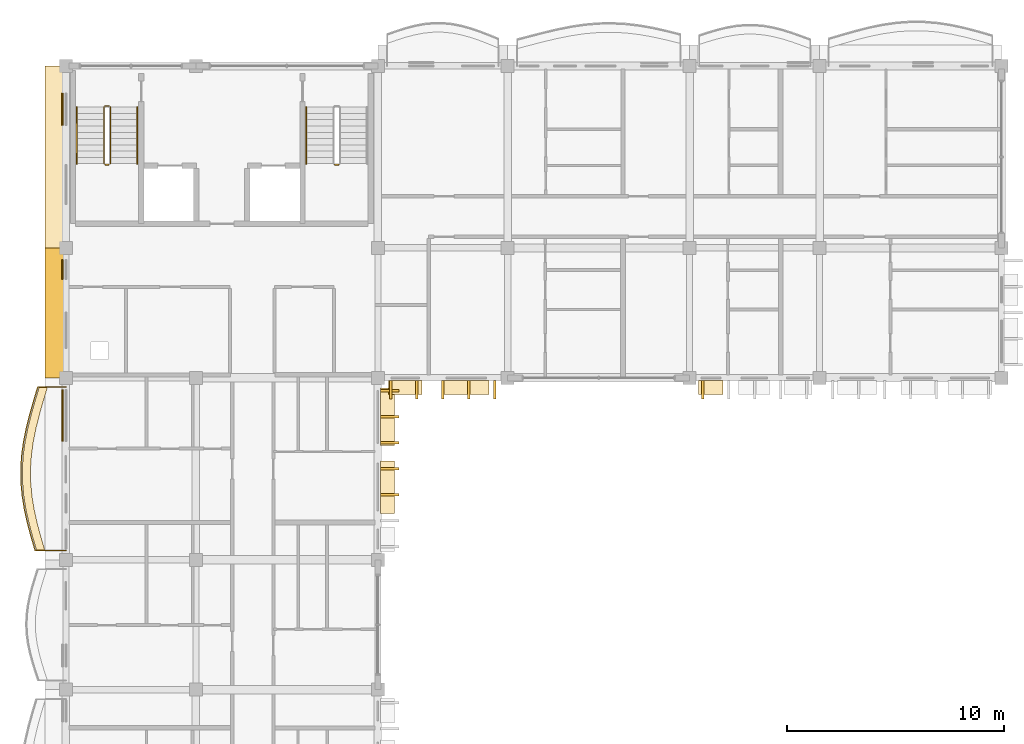
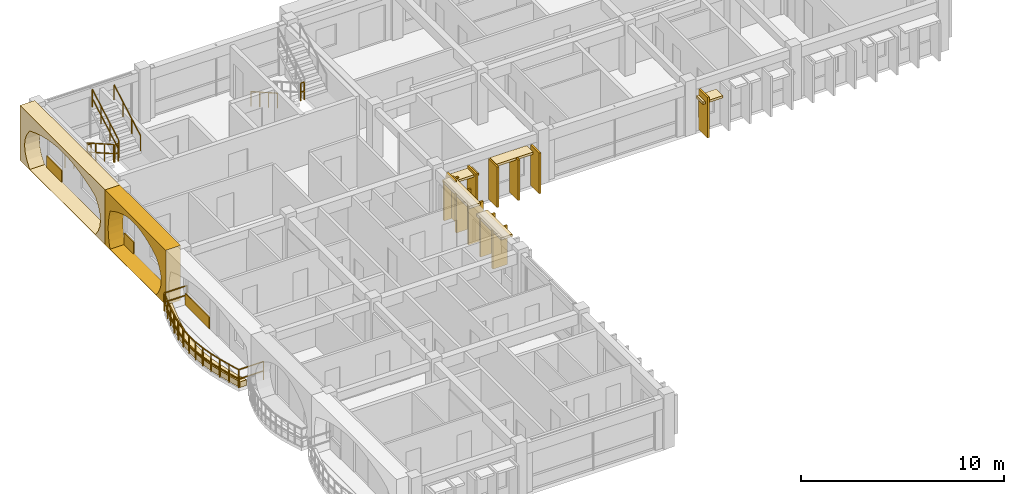
# One storey, part 43 of 54: 22 coverings, 9 railings.
"""IFC4 building model written with IfcOpenShell, lengths in metres."""

from ifc_helpers import new_model, si_unit, direction, frame, origin, origin_2d, place, context, subcontext, project, spatial, polyline, rectangle, outline, extrude, material, layer, layer_set, type_object, element, save


model = new_model("IFC4")

# Units and contexts
model_context = context("Model", 3, precision=1e-05, world=origin(), true_north=direction((0.0, 1.0)))
body_context = subcontext(model_context, "Body", "Model", "MODEL_VIEW")
ifc_project = project(units=[si_unit("LENGTHUNIT", "METRE"), si_unit("AREAUNIT", "SQUARE_METRE"), si_unit("VOLUMEUNIT", "CUBIC_METRE"), si_unit("PLANEANGLEUNIT", "RADIAN"), si_unit("MASSUNIT", "GRAM", prefix="KILO"), si_unit("THERMODYNAMICTEMPERATUREUNIT", "KELVIN")], contexts=[model_context])

# Site, building, storey
site_placement = place(None, origin())
site = spatial("IfcSite", under=ifc_project, at=site_placement, CompositionType="ELEMENT")
building_placement = place(site_placement, origin())
building = spatial("IfcBuilding", under=site, at=building_placement, Name="Thalorik Housing Commons", CompositionType="ELEMENT")
storey_placement = place(building_placement, frame((0.0, 0.0, 31.199951171875)))
storey = spatial("IfcBuildingStorey", under=building, at=storey_placement, Name="L09", CompositionType="ELEMENT", Elevation=31.199951171875)

# Coverings
ifc_material_1 = material(Name="Cobalt blue glazed ceramic facade tile panel", Category="masonry")
ifc_layer_1 = layer(ifc_material_1, 0.06005859375, Name="Cobalt blue glazed ceramic facade tile panel", Category="masonry")
ifc_layer_set_1 = layer_set([ifc_layer_1], Name="Cobalt blue glazed ceramic facade tile panel")
covering_type_1 = type_object("IfcCoveringType", Name="ARC-CLD-BLU-60", PredefinedType="CLADDING", material=ifc_layer_set_1)
covering_1_placement = place(storey_placement, frame((8.242431640625, 121.603759765625, 0.05029296875), z_axis=(0.0, 0.0, 1.0), x_axis=(0.0, -1.0, 0.0)))
element("IfcCovering", 1, at=covering_1_placement, inside=storey, type_object=covering_type_1, Name="L09 De Stijl Recessed Window Spandrel 958", PredefinedType="CLADDING", context=body_context, shape_type="SweptSolid", body=[
    extrude(rectangle(XDim=1.47998046875, YDim=0.06005859375, at=origin_2d()), origin(), (0.0, 0.0, 1.0), 0.699951171875),
])
ifc_material_2 = material(Name="Precast concrete C40/50", Category="concrete")
ifc_layer_2 = layer(ifc_material_2, 0.85009765625, Name="Precast concrete C40/50", Category="concrete")
ifc_layer_set_2 = layer_set([ifc_layer_2], Name="Precast concrete C40/50")
covering_type_2 = type_object("IfcCoveringType", Name="ARC-CLD-CUSH-850", PredefinedType="CLADDING", material=ifc_layer_set_2)
covering_2_placement = place(storey_placement, frame((7.8525390625, 119.39990234375, 0.0), z_axis=(0.0, 0.0, 1.0), x_axis=(0.0, -1.0, 0.0)))
element("IfcCovering", 2, at=covering_2_placement, inside=storey, type_object=covering_type_2, Name="L09 White Precast Curved Cushion Bay Frame 957", PredefinedType="CLADDING", context=body_context, shape_type="SweptSolid", body=[
    extrude(outline(polyline([(-4.199951171875, 0.0), (4.199951171875, 0.0), (4.199951171875, 3.300048828125), (-4.199951171875, 3.300048828125), (-4.199951171875, 0.0)]), holes=[polyline([(3.239990234375, 0.02490234375), (3.523193359375, 0.410888671875), (3.693359375, 0.796630859375), (3.75, 1.1826171875), (3.693359375, 1.568359375), (3.523193359375, 1.9541015625), (3.239990234375, 2.340087890625), (2.699951171875, 2.552978515625), (2.159912109375, 2.720458984375), (1.6201171875, 2.85595703125), (1.080078125, 2.956787109375), (0.5400390625, 3.01904296875), (0.0, 3.0400390625), (-0.5400390625, 3.01904296875), (-1.080078125, 2.956787109375), (-1.6201171875, 2.85595703125), (-2.159912109375, 2.720458984375), (-2.699951171875, 2.552978515625), (-3.239990234375, 2.340087890625), (-3.523193359375, 1.9541015625), (-3.693359375, 1.568359375), (-3.75, 1.1826171875), (-3.693359375, 0.796630859375), (-3.523193359375, 0.410888671875), (-3.239990234375, 0.02490234375), (3.239990234375, 0.02490234375)])]), frame((0.0, 0.425048828125, 0.0), z_axis=(0.0, -1.0, 0.0), x_axis=(1.0, 0.0, 0.0)), (0.0, 0.0, 1.0), 0.85009765625),
])
covering_3_placement = place(storey_placement, frame((7.8525390625, 112.199951171875, 0.0), z_axis=(0.0, 0.0, 1.0), x_axis=(0.0, -1.0, 0.0)))
element("IfcCovering", 3, at=covering_3_placement, inside=storey, type_object=covering_type_2, Name="L09 White Precast Curved Cushion Bay Frame 959", PredefinedType="CLADDING", context=body_context, shape_type="SweptSolid", body=[
    extrude(outline(polyline([(-3.0, 0.0), (3.0, 0.0), (3.0, 3.300048828125), (-3.0, 3.300048828125), (-3.0, 0.0)]), holes=[polyline([(2.0400390625, 0.02490234375), (2.3232421875, 0.407470703125), (2.493408203125, 0.7900390625), (2.550048828125, 1.172607421875), (2.493408203125, 1.554931640625), (2.3232421875, 1.9375), (2.0400390625, 2.320068359375), (1.661376953125, 2.539306640625), (1.282470703125, 2.711181640625), (0.90380859375, 2.8505859375), (0.52490234375, 2.954345703125), (0.146240234375, 3.018310546875), (-0.232421875, 3.0400390625), (-0.611328125, 3.018310546875), (-0.989990234375, 2.954345703125), (-1.36865234375, 2.8505859375), (-1.74755859375, 2.711181640625), (-2.126220703125, 2.539306640625), (-2.5048828125, 2.320068359375), (-2.609619140625, 1.9375), (-2.672119140625, 1.554931640625), (-2.693115234375, 1.172607421875), (-2.672119140625, 0.7900390625), (-2.609619140625, 0.407470703125), (-2.5048828125, 0.02490234375), (2.0400390625, 0.02490234375)])]), frame((0.0, 0.425048828125, 0.0), z_axis=(0.0, -1.0, 0.0), x_axis=(1.0, 0.0, 0.0)), (0.0, 0.0, 1.0), 0.85009765625),
])
ifc_layer_3 = layer(ifc_material_2, 0.85009765625, Name="Precast concrete C40/50", Category="concrete")
ifc_layer_set_3 = layer_set([ifc_layer_3], Name="Precast concrete C40/50")
covering_type_3 = type_object("IfcCoveringType", Name="ARC-CLD-FIN-850", PredefinedType="CLADDING", material=ifc_layer_set_3)
for number, where, z_axis, x_axis, name in (
    (4, (23.39990234375, 108.652587890625, 0.0400390625), (0.0, 0.0, 1.0), (1.0, 0.0, 0.0), "L09 Courtyard Precast Vertical Brise-Soleil Fin 917"),
    (5, (24.60009765625, 108.652587890625, 0.0400390625), (0.0, 0.0, 1.0), (1.0, 0.0, 0.0), "L09 Courtyard Precast Vertical Brise-Soleil Fin 918"),
    (6, (25.800048828125, 108.652587890625, 0.0400390625), (0.0, 0.0, 1.0), (1.0, 0.0, 0.0), "L09 Courtyard Precast Vertical Brise-Soleil Fin 919"),
    (7, (27.0, 108.652587890625, 0.0400390625), (0.0, 0.0, 1.0), (1.0, 0.0, 0.0), "L09 Courtyard Precast Vertical Brise-Soleil Fin 920"),
    (8, (28.199951171875, 108.652587890625, 0.0400390625), (0.0, 0.0, 1.0), (1.0, 0.0, 0.0), "L09 Courtyard Precast Vertical Brise-Soleil Fin 921"),
    (9, (37.800048828125, 108.652587890625, 0.0400390625), (0.0, 0.0, 1.0), (1.0, 0.0, 0.0), "L09 Courtyard Precast Vertical Brise-Soleil Fin 924"),
):
    element("IfcCovering", number, at=place(storey_placement, frame(where, z_axis=z_axis, x_axis=x_axis)), inside=storey, type_object=covering_type_3, Name=name, PredefinedType="CLADDING", context=body_context, shape_type="SweptSolid", body=[
        extrude(rectangle(XDim=0.110107421875, YDim=0.85009765625, at=origin_2d()), origin(), (0.0, 0.0, 1.0), 2.445068359375),
    ])
for number, where, z_axis, x_axis, name in (
    (10, (23.347412109375, 103.800048828125, 0.0400390625), (0.0, 0.0, 1.0), (0.0, 1.0, 0.0), "L09 Courtyard Precast Vertical Brise-Soleil Fin 986"),
    (11, (23.347412109375, 105.0, 0.0400390625), (0.0, 0.0, 1.0), (0.0, 1.0, 0.0), "L09 Courtyard Precast Vertical Brise-Soleil Fin 987"),
    (12, (23.347412109375, 106.199951171875, 0.0400390625), (0.0, 0.0, 1.0), (0.0, 1.0, 0.0), "L09 Courtyard Precast Vertical Brise-Soleil Fin 988"),
    (13, (23.347412109375, 107.39990234375, 0.0400390625), (0.0, 0.0, 1.0), (0.0, 1.0, 0.0), "L09 Courtyard Precast Vertical Brise-Soleil Fin 989"),
    (14, (23.347412109375, 108.60009765625, 0.0400390625), (0.0, 0.0, 1.0), (0.0, 1.0, 0.0), "L09 Courtyard Precast Vertical Brise-Soleil Fin 990"),
):
    element("IfcCovering", number, at=place(storey_placement, frame(where, z_axis=z_axis, x_axis=x_axis)), inside=storey, type_object=covering_type_3, Name=name, PredefinedType="CLADDING", context=body_context, shape_type="SweptSolid", body=[
        extrude(rectangle(XDim=0.110107421875, YDim=0.85009765625, at=origin_2d()), origin(), (0.0, 0.0, 1.0), 2.344970703125),
    ])
ifc_layer_4 = layer(ifc_material_2, 0.64990234375, Name="Precast concrete C40/50", Category="concrete")
ifc_layer_set_4 = layer_set([ifc_layer_4], Name="Precast concrete C40/50")
covering_type_4 = type_object("IfcCoveringType", Name="ARC-CLD-HOOD-650", PredefinedType="CLADDING", material=ifc_layer_set_4)
covering_4_placement = place(storey_placement, frame((24.070068359375, 108.75244140625, 2.18994140625), z_axis=(0.0, 0.0, 1.0), x_axis=(1.0, 0.0, 0.0)))
element("IfcCovering", 15, at=covering_4_placement, inside=storey, type_object=covering_type_4, Name="L09 Courtyard Precast Window Sun-Hood 922", PredefinedType="CLADDING", context=body_context, shape_type="SweptSolid", body=[
    extrude(rectangle(XDim=1.5400390625, YDim=0.64990234375, at=origin_2d()), origin(), (0.0, 0.0, 1.0), 0.139892578125),
])
covering_5_placement = place(storey_placement, frame((26.8798828125, 108.75244140625, 2.375), z_axis=(0.0, 0.0, 1.0), x_axis=(1.0, 0.0, 0.0)))
element("IfcCovering", 16, at=covering_5_placement, inside=storey, type_object=covering_type_4, Name="L09 Courtyard Precast Window Sun-Hood 923", PredefinedType="CLADDING", context=body_context, shape_type="SweptSolid", body=[
    extrude(rectangle(XDim=2.090087890625, YDim=0.64990234375, at=origin_2d()), origin(), (0.0, 0.0, 1.0), 0.139892578125),
])
covering_6_placement = place(storey_placement, frame((38.175048828125, 108.75244140625, 1.990234375), z_axis=(0.0, 0.0, 1.0), x_axis=(1.0, 0.0, 0.0)))
element("IfcCovering", 17, at=covering_6_placement, inside=storey, type_object=covering_type_4, Name="L09 Courtyard Precast Window Sun-Hood 929", PredefinedType="CLADDING", context=body_context, shape_type="SweptSolid", body=[
    extrude(rectangle(XDim=1.139892578125, YDim=0.64990234375, at=origin_2d()), origin(), (0.0, 0.0, 1.0), 0.139892578125),
])
covering_7_placement = place(storey_placement, frame((23.24755859375, 104.15673828125, 2.27001953125), z_axis=(0.0, 0.0, 1.0), x_axis=(0.0, 1.0, 0.0)))
element("IfcCovering", 18, at=covering_7_placement, inside=storey, type_object=covering_type_4, Name="L09 Courtyard Precast Window Sun-Hood 992", PredefinedType="CLADDING", context=body_context, shape_type="SweptSolid", body=[
    extrude(rectangle(XDim=2.419921875, YDim=0.64990234375, at=origin_2d()), origin(), (0.0, 0.0, 1.0), 0.139892578125),
])
covering_8_placement = place(storey_placement, frame((23.24755859375, 107.40185546875, 2.27490234375), z_axis=(0.0, 0.0, 1.0), x_axis=(0.0, 1.0, 0.0)))
element("IfcCovering", 19, at=covering_8_placement, inside=storey, type_object=covering_type_4, Name="L09 Courtyard Precast Window Sun-Hood 993", PredefinedType="CLADDING", context=body_context, shape_type="SweptSolid", body=[
    extrude(rectangle(XDim=2.659912109375, YDim=0.64990234375, at=origin_2d()), origin(), (0.0, 0.0, 1.0), 0.139892578125),
])
ifc_material_3 = material(Name="Terracotta red mineral fibre-cement panel", Category="masonry")
ifc_layer_5 = layer(ifc_material_3, 0.054931640625, Name="Terracotta red mineral fibre-cement panel", Category="masonry")
ifc_layer_set_5 = layer_set([ifc_layer_5], Name="Terracotta red mineral fibre-cement panel")
covering_type_5 = type_object("IfcCoveringType", Name="ARC-CLD-RED-55", PredefinedType="CLADDING", material=ifc_layer_set_5)
covering_9_placement = place(storey_placement, frame((8.2451171875, 107.469970703125, 0.05029296875), z_axis=(0.0, 0.0, 1.0), x_axis=(0.0, -1.0, 0.0)))
element("IfcCovering", 20, at=covering_9_placement, inside=storey, type_object=covering_type_5, Name="L09 De Stijl Recessed Window Spandrel 962", PredefinedType="CLADDING", context=body_context, shape_type="SweptSolid", body=[
    extrude(rectangle(XDim=2.3798828125, YDim=0.054931640625, at=origin_2d()), origin(), (0.0, 0.0, 1.0), 0.699951171875),
])
ifc_material_4 = material(Name="Mineral ochre architectural terracotta panel", Category="masonry")
ifc_layer_6 = layer(ifc_material_4, 0.06494140625, Name="Mineral ochre architectural terracotta panel", Category="masonry")
ifc_layer_set_6 = layer_set([ifc_layer_6], Name="Mineral ochre architectural terracotta panel")
covering_type_6 = type_object("IfcCoveringType", Name="ARC-CLD-YEL-65", PredefinedType="CLADDING", material=ifc_layer_set_6)
covering_10_placement = place(storey_placement, frame((8.239990234375, 114.205078125, 0.05029296875), z_axis=(0.0, 0.0, 1.0), x_axis=(0.0, -1.0, 0.0)))
element("IfcCovering", 21, at=covering_10_placement, inside=storey, type_object=covering_type_6, Name="L09 De Stijl Recessed Window Spandrel 960", PredefinedType="CLADDING", context=body_context, shape_type="SweptSolid", body=[
    extrude(rectangle(XDim=0.89990234375, YDim=0.06494140625, at=origin_2d()), origin(), (0.0, 0.0, 1.0), 0.699951171875),
])
ifc_material_5 = material(Name="Planted vegetated substrate and terracotta trough", Category="masonry")
ifc_layer_7 = layer(ifc_material_5, 0.340087890625, Name="Planted vegetated substrate and terracotta trough", Category="masonry")
ifc_layer_set_7 = layer_set([ifc_layer_7], Name="Planted vegetated substrate and terracotta trough")
covering_type_7 = type_object("IfcCoveringType", Name="ARC-COV-PLANTER", PredefinedType="USERDEFINED", material=ifc_layer_set_7)
covering_11_placement = place(storey_placement, origin())
element("IfcCovering", 22, at=covering_11_placement, inside=storey, type_object=covering_type_7, Name="L09 Balcony Slab-Edge Planted Trough 5384", ObjectType="PLANTER", PredefinedType="USERDEFINED", context=body_context, shape_type="SweptSolid", body=[
    extrude(outline(polyline([(7.16845703125, 108.780029296875), (6.98095703125, 108.14990234375), (6.80126953125, 107.52001953125), (6.64208984375, 106.889892578125), (6.51416015625, 106.260009765625), (6.4267578125, 105.6298828125), (6.385986328125, 105.0), (6.39453125, 104.3701171875), (6.451904296875, 103.739990234375), (6.5546875, 103.110107421875), (6.6953125, 102.47998046875), (6.864013671875, 101.85009765625), (7.0498046875, 101.219970703125), (7.4296875, 101.219970703125), (7.244140625, 101.85009765625), (7.0751953125, 102.47998046875), (6.9345703125, 103.110107421875), (6.83203125, 103.739990234375), (6.7744140625, 104.3701171875), (6.765869140625, 105.0), (6.806884765625, 105.6298828125), (6.894287109375, 106.260009765625), (7.02197265625, 106.889892578125), (7.18115234375, 107.52001953125), (7.36083984375, 108.14990234375), (7.54833984375, 108.780029296875), (7.16845703125, 108.780029296875)])), origin(), (0.0, 0.0, 1.0), 0.340087890625),
])

# Railings
ifc_material_6 = material(Name="Steel S355", Category="steel")
railing_type_1 = type_object("IfcRailingType", Name="ARC-RL-BAL-112", PredefinedType="BALUSTRADE", material=ifc_material_6)
railing_1_placement = place(storey_placement, frame((8.39990234375, 108.780029296875, 0.0)))
element("IfcRailing", 23, at=railing_1_placement, inside=storey, type_object=railing_type_1, Name="L09 Cushion Balcony Guardrail 68", PredefinedType="BALUSTRADE", context=body_context, shape_type="SweptSolid", body=[
    extrude(rectangle(XDim=0.050048828125, YDim=0.050048828125, at=origin_2d()), frame((0.0, 0.0, 1.09521484375), z_axis=(-1.0, 0.0, 0.0), x_axis=(0.0, -1.0, 0.0)), (0.0, 0.0, 1.0), 1.301513671875),
    extrude(rectangle(XDim=0.050048828125, YDim=0.050048828125, at=origin_2d()), frame((0.0, 0.0, 0.53515625), z_axis=(-1.0, 0.0, 0.0), x_axis=(0.0, -1.0, 0.0)), (0.0, 0.0, 1.0), 1.301513671875),
    extrude(rectangle(XDim=0.050048828125, YDim=0.050048828125, at=origin_2d()), frame((-1.301513671875, 0.0, 1.09521484375), z_axis=(-0.285200799147, -0.958467789843, 0.0), x_axis=(0.958467789843, -0.285200799147, 0.0)), (0.0, 0.0, 1.0), 0.657470703125),
    extrude(rectangle(XDim=0.050048828125, YDim=0.050048828125, at=origin_2d()), frame((-1.301513671875, 0.0, 0.53515625), z_axis=(-0.285200799147, -0.958467789843, 0.0), x_axis=(0.958467789843, -0.285200799147, 0.0)), (0.0, 0.0, 1.0), 0.657470703125),
    extrude(rectangle(XDim=0.050048828125, YDim=0.050048828125, at=origin_2d()), frame((-1.489013671875, -0.630126953125, 1.09521484375), z_axis=(-0.274327279801, -0.961636388432, 0.0), x_axis=(0.961636388432, -0.274327279801, 0.0)), (0.0, 0.0, 1.0), 0.655029296875),
    extrude(rectangle(XDim=0.050048828125, YDim=0.050048828125, at=origin_2d()), frame((-1.489013671875, -0.630126953125, 0.53515625), z_axis=(-0.274327279801, -0.961636388432, 0.0), x_axis=(0.961636388432, -0.274327279801, 0.0)), (0.0, 0.0, 1.0), 0.655029296875),
    extrude(rectangle(XDim=0.050048828125, YDim=0.050048828125, at=origin_2d()), frame((-1.668701171875, -1.260009765625, 1.09521484375), z_axis=(-0.244921349705, -0.969542950291, 0.0), x_axis=(0.969542950291, -0.244921349705, 0.0)), (0.0, 0.0, 1.0), 0.64990234375),
    extrude(rectangle(XDim=0.050048828125, YDim=0.050048828125, at=origin_2d()), frame((-1.668701171875, -1.260009765625, 0.53515625), z_axis=(-0.244921349705, -0.969542950291, 0.0), x_axis=(0.969542950291, -0.244921349705, 0.0)), (0.0, 0.0, 1.0), 0.64990234375),
    extrude(rectangle(XDim=0.050048828125, YDim=0.050048828125, at=origin_2d()), frame((-1.827880859375, -1.89013671875, 1.09521484375), z_axis=(-0.19903712482, -0.979991950448, 0.0), x_axis=(0.979991950448, -0.19903712482, 0.0)), (0.0, 0.0, 1.0), 0.642822265625),
    extrude(rectangle(XDim=0.050048828125, YDim=0.050048828125, at=origin_2d()), frame((-1.827880859375, -1.89013671875, 0.53515625), z_axis=(-0.19903712482, -0.979991950448, 0.0), x_axis=(0.979991950448, -0.19903712482, 0.0)), (0.0, 0.0, 1.0), 0.642822265625),
    extrude(rectangle(XDim=0.050048828125, YDim=0.050048828125, at=origin_2d()), frame((-1.955810546875, -2.52001953125, 1.09521484375), z_axis=(-0.137390572843, -0.990516951139, 0.0), x_axis=(0.990516951139, -0.137390572843, 0.0)), (0.0, 0.0, 1.0), 0.63623046875),
    extrude(rectangle(XDim=0.050048828125, YDim=0.050048828125, at=origin_2d()), frame((-1.955810546875, -2.52001953125, 0.53515625), z_axis=(-0.137390572843, -0.990516951139, 0.0), x_axis=(0.990516951139, -0.137390572843, 0.0)), (0.0, 0.0, 1.0), 0.63623046875),
    extrude(rectangle(XDim=0.050048828125, YDim=0.050048828125, at=origin_2d()), frame((-2.043212890625, -3.150146484375, 1.09521484375), z_axis=(-0.064593506601, -0.997911658868, 0.0), x_axis=(0.997911658868, -0.064593506601, 0.0)), (0.0, 0.0, 1.0), 0.631103515625),
    extrude(rectangle(XDim=0.050048828125, YDim=0.050048828125, at=origin_2d()), frame((-2.043212890625, -3.150146484375, 0.53515625), z_axis=(-0.064593506601, -0.997911658868, 0.0), x_axis=(0.997911658868, -0.064593506601, 0.0)), (0.0, 0.0, 1.0), 0.631103515625),
    extrude(rectangle(XDim=0.050048828125, YDim=0.050048828125, at=origin_2d()), frame((-2.083984375, -3.780029296875, 1.09521484375), z_axis=(0.013564643356, -0.999907995993, 0.0), x_axis=(0.999907995993, 0.013564643356, 0.0)), (0.0, 0.0, 1.0), 0.6298828125),
    extrude(rectangle(XDim=0.050048828125, YDim=0.050048828125, at=origin_2d()), frame((-2.083984375, -3.780029296875, 0.53515625), z_axis=(0.013564643356, -0.999907995993, 0.0), x_axis=(0.999907995993, 0.013564643356, 0.0)), (0.0, 0.0, 1.0), 0.6298828125),
    extrude(rectangle(XDim=0.050048828125, YDim=0.050048828125, at=origin_2d()), frame((-2.075439453125, -4.409912109375, 1.09521484375), z_axis=(0.091057562518, -0.995845630762, 0.0), x_axis=(0.995845630762, 0.091057562518, 0.0)), (0.0, 0.0, 1.0), 0.6328125),
    extrude(rectangle(XDim=0.050048828125, YDim=0.050048828125, at=origin_2d()), frame((-2.075439453125, -4.409912109375, 0.53515625), z_axis=(0.091057562518, -0.995845630762, 0.0), x_axis=(0.995845630762, 0.091057562518, 0.0)), (0.0, 0.0, 1.0), 0.6328125),
    extrude(rectangle(XDim=0.050048828125, YDim=0.050048828125, at=origin_2d()), frame((-2.017822265625, -5.0400390625, 1.09521484375), z_axis=(0.160675602082, -0.987007269931, 0.0), x_axis=(0.987007269931, 0.160675602082, 0.0)), (0.0, 0.0, 1.0), 0.63818359375),
    extrude(rectangle(XDim=0.050048828125, YDim=0.050048828125, at=origin_2d()), frame((-2.017822265625, -5.0400390625, 0.53515625), z_axis=(0.160675602082, -0.987007269931, 0.0), x_axis=(0.987007269931, 0.160675602082, 0.0)), (0.0, 0.0, 1.0), 0.63818359375),
    extrude(rectangle(XDim=0.050048828125, YDim=0.050048828125, at=origin_2d()), frame((-1.915283203125, -5.669921875, 1.09521484375), z_axis=(0.217811223718, -0.975990917387, 0.0), x_axis=(0.975990917387, 0.217811223718, 0.0)), (0.0, 0.0, 1.0), 0.6455078125),
    extrude(rectangle(XDim=0.050048828125, YDim=0.050048828125, at=origin_2d()), frame((-1.915283203125, -5.669921875, 0.53515625), z_axis=(0.217811223718, -0.975990917387, 0.0), x_axis=(0.975990917387, 0.217811223718, 0.0)), (0.0, 0.0, 1.0), 0.6455078125),
    extrude(rectangle(XDim=0.050048828125, YDim=0.050048828125, at=origin_2d()), frame((-1.774658203125, -6.300048828125, 1.09521484375), z_axis=(0.259060423575, -0.965861116795, 0.0), x_axis=(0.965861116795, 0.259060423575, 0.0)), (0.0, 0.0, 1.0), 0.652099609375),
    extrude(rectangle(XDim=0.050048828125, YDim=0.050048828125, at=origin_2d()), frame((-1.774658203125, -6.300048828125, 0.53515625), z_axis=(0.259060423575, -0.965861116795, 0.0), x_axis=(0.965861116795, 0.259060423575, 0.0)), (0.0, 0.0, 1.0), 0.652099609375),
    extrude(rectangle(XDim=0.050048828125, YDim=0.050048828125, at=origin_2d()), frame((-1.605712890625, -6.929931640625, 1.09521484375), z_axis=(0.282468142814, -0.959276679741, 0.0), x_axis=(0.959276679741, 0.282468142814, 0.0)), (0.0, 0.0, 1.0), 0.656982421875),
    extrude(rectangle(XDim=0.050048828125, YDim=0.050048828125, at=origin_2d()), frame((-1.605712890625, -6.929931640625, 0.53515625), z_axis=(0.282468142814, -0.959276679741, 0.0), x_axis=(0.959276679741, 0.282468142814, 0.0)), (0.0, 0.0, 1.0), 0.656982421875),
    extrude(rectangle(XDim=0.050048828125, YDim=0.050048828125, at=origin_2d()), frame((-1.420166015625, -7.56005859375, 1.09521484375), z_axis=(1.0, 0.0, 0.0), x_axis=(0.0, 1.0, 0.0)), (0.0, 0.0, 1.0), 1.420166015625),
    extrude(rectangle(XDim=0.050048828125, YDim=0.050048828125, at=origin_2d()), frame((-1.420166015625, -7.56005859375, 0.53515625), z_axis=(1.0, 0.0, 0.0), x_axis=(0.0, 1.0, 0.0)), (0.0, 0.0, 1.0), 1.420166015625),
    extrude(rectangle(XDim=0.0419921875, YDim=0.0419921875, at=origin_2d()), origin(), (0.0, 0.0, 1.0), 1.070068359375),
    extrude(rectangle(XDim=0.0419921875, YDim=0.0419921875, at=origin_2d()), frame((-1.301513671875, 0.0, 0.0)), (0.0, 0.0, 1.0), 1.070068359375),
    extrude(rectangle(XDim=0.0419921875, YDim=0.0419921875, at=origin_2d()), frame((-1.489013671875, -0.630126953125, 0.0)), (0.0, 0.0, 1.0), 1.070068359375),
    extrude(rectangle(XDim=0.0419921875, YDim=0.0419921875, at=origin_2d()), frame((-1.668701171875, -1.260009765625, 0.0)), (0.0, 0.0, 1.0), 1.070068359375),
    extrude(rectangle(XDim=0.0419921875, YDim=0.0419921875, at=origin_2d()), frame((-1.827880859375, -1.89013671875, 0.0)), (0.0, 0.0, 1.0), 1.070068359375),
    extrude(rectangle(XDim=0.0419921875, YDim=0.0419921875, at=origin_2d()), frame((-1.955810546875, -2.52001953125, 0.0)), (0.0, 0.0, 1.0), 1.070068359375),
    extrude(rectangle(XDim=0.0419921875, YDim=0.0419921875, at=origin_2d()), frame((-2.043212890625, -3.150146484375, 0.0)), (0.0, 0.0, 1.0), 1.070068359375),
    extrude(rectangle(XDim=0.0419921875, YDim=0.0419921875, at=origin_2d()), frame((-2.083984375, -3.780029296875, 0.0)), (0.0, 0.0, 1.0), 1.070068359375),
    extrude(rectangle(XDim=0.0419921875, YDim=0.0419921875, at=origin_2d()), frame((-2.075439453125, -4.409912109375, 0.0)), (0.0, 0.0, 1.0), 1.070068359375),
    extrude(rectangle(XDim=0.0419921875, YDim=0.0419921875, at=origin_2d()), frame((-2.017822265625, -5.0400390625, 0.0)), (0.0, 0.0, 1.0), 1.070068359375),
    extrude(rectangle(XDim=0.0419921875, YDim=0.0419921875, at=origin_2d()), frame((-1.915283203125, -5.669921875, 0.0)), (0.0, 0.0, 1.0), 1.070068359375),
    extrude(rectangle(XDim=0.0419921875, YDim=0.0419921875, at=origin_2d()), frame((-1.774658203125, -6.300048828125, 0.0)), (0.0, 0.0, 1.0), 1.070068359375),
    extrude(rectangle(XDim=0.0419921875, YDim=0.0419921875, at=origin_2d()), frame((-1.605712890625, -6.929931640625, 0.0)), (0.0, 0.0, 1.0), 1.070068359375),
    extrude(rectangle(XDim=0.0419921875, YDim=0.0419921875, at=origin_2d()), frame((-1.420166015625, -7.56005859375, 0.0)), (0.0, 0.0, 1.0), 1.070068359375),
    extrude(rectangle(XDim=0.0419921875, YDim=0.0419921875, at=origin_2d()), frame((0.0, -7.56005859375, 0.0)), (0.0, 0.0, 1.0), 1.070068359375),
])
railing_type_2 = type_object("IfcRailingType", Name="ARC-RL-STR-GRD110", PredefinedType="GUARDRAIL", material=ifc_material_6)
railing_2_placement = place(storey_placement, frame((10.14990234375, 121.699951171875, 0.1650390625)))
element("IfcRailing", 24, at=railing_2_placement, inside=storey, type_object=railing_type_2, Name="L09 ST-A1 stair guard 1", PredefinedType="GUARDRAIL", context=body_context, shape_type="SweptSolid", body=[
    extrude(rectangle(XDim=0.048095703125, YDim=0.048095703125, at=origin_2d()), frame((0.0, 0.0, 1.076171875), z_axis=(0.0, -0.869137319866, 0.494570843475), x_axis=(1.0, 0.0, 0.0)), (0.0, 0.0, 1.0), 3.0029296875),
    extrude(rectangle(XDim=0.048095703125, YDim=0.048095703125, at=origin_2d()), frame((0.0, 0.0, 0.52587890625), z_axis=(0.0, -0.869137319866, 0.494570843475), x_axis=(1.0, 0.0, 0.0)), (0.0, 0.0, 1.0), 3.0029296875),
    extrude(rectangle(XDim=0.0419921875, YDim=0.0419921875, at=origin_2d()), origin(), (0.0, 0.0, 1.0), 1.052001953125),
    extrude(rectangle(XDim=0.0419921875, YDim=0.0419921875, at=origin_2d()), frame((0.0, -0.869873046875, 0.4951171875)), (0.0, 0.0, 1.0), 1.052001953125),
    extrude(rectangle(XDim=0.0419921875, YDim=0.0419921875, at=origin_2d()), frame((0.0, -1.739990234375, 0.989990234375)), (0.0, 0.0, 1.0), 1.052001953125),
    extrude(rectangle(XDim=0.0419921875, YDim=0.0419921875, at=origin_2d()), frame((0.0, -2.60986328125, 1.485107421875)), (0.0, 0.0, 1.0), 1.052001953125),
])
railing_3_placement = place(storey_placement, frame((10.199951171875, 119.0400390625, 1.650146484375)))
element("IfcRailing", 25, at=railing_3_placement, inside=storey, type_object=railing_type_2, Name="L09 ST-A1 stair guard 2", PredefinedType="GUARDRAIL", context=body_context, shape_type="SweptSolid", body=[
    extrude(rectangle(XDim=0.048095703125, YDim=0.048095703125, at=origin_2d()), frame((0.0, 0.0, 1.076171875), z_axis=(1.0, 0.0, 0.0), x_axis=(0.0, 1.0, 0.0)), (0.0, 0.0, 1.0), 0.199951171875),
    extrude(rectangle(XDim=0.048095703125, YDim=0.048095703125, at=origin_2d()), frame((0.0, 0.0, 0.52587890625), z_axis=(1.0, 0.0, 0.0), x_axis=(0.0, 1.0, 0.0)), (0.0, 0.0, 1.0), 0.199951171875),
    extrude(rectangle(XDim=0.0419921875, YDim=0.0419921875, at=origin_2d()), origin(), (0.0, 0.0, 1.0), 1.052001953125),
    extrude(rectangle(XDim=0.0419921875, YDim=0.0419921875, at=origin_2d()), frame((0.199951171875, 0.0, 0.0)), (0.0, 0.0, 1.0), 1.052001953125),
])
railing_4_placement = place(storey_placement, frame((10.449951171875, 119.090087890625, 1.81494140625)))
element("IfcRailing", 26, at=railing_4_placement, inside=storey, type_object=railing_type_2, Name="L09 ST-A1 stair guard 3", PredefinedType="GUARDRAIL", context=body_context, shape_type="SweptSolid", body=[
    extrude(rectangle(XDim=0.048095703125, YDim=0.048095703125, at=origin_2d()), frame((0.0, 0.0, 1.076171875), z_axis=(0.0, 0.869137319866, 0.494570843475), x_axis=(-1.0, 0.0, 0.0)), (0.0, 0.0, 1.0), 3.0029296875),
    extrude(rectangle(XDim=0.048095703125, YDim=0.048095703125, at=origin_2d()), frame((0.0, 0.0, 0.52587890625), z_axis=(0.0, 0.869137319866, 0.494570843475), x_axis=(-1.0, 0.0, 0.0)), (0.0, 0.0, 1.0), 3.0029296875),
    extrude(rectangle(XDim=0.0419921875, YDim=0.0419921875, at=origin_2d()), origin(), (0.0, 0.0, 1.0), 1.052001953125),
    extrude(rectangle(XDim=0.0419921875, YDim=0.0419921875, at=origin_2d()), frame((0.0, 0.869873046875, 0.4951171875)), (0.0, 0.0, 1.0), 1.052001953125),
    extrude(rectangle(XDim=0.0419921875, YDim=0.0419921875, at=origin_2d()), frame((0.0, 1.739990234375, 0.989990234375)), (0.0, 0.0, 1.0), 1.052001953125),
    extrude(rectangle(XDim=0.0419921875, YDim=0.0419921875, at=origin_2d()), frame((0.0, 2.60986328125, 1.485107421875)), (0.0, 0.0, 1.0), 1.052001953125),
])
for number, where, name in (
    (27, (10.199951171875, 121.75, 0.0), "L09 ST-A1 stair guard 4"),
    (28, (20.800048828125, 119.0400390625, 1.650146484375), "L09 ST-A2 stair guard 2"),
):
    element("IfcRailing", number, at=place(storey_placement, frame(where)), inside=storey, type_object=railing_type_2, Name=name, PredefinedType="GUARDRAIL", context=body_context, shape_type="SweptSolid", body=[
        extrude(rectangle(XDim=0.048095703125, YDim=0.048095703125, at=origin_2d()), frame((0.0, 0.0, 1.076171875), z_axis=(1.0, 0.0, 0.0), x_axis=(0.0, 1.0, 0.0)), (0.0, 0.0, 1.0), 0.199951171875),
        extrude(rectangle(XDim=0.048095703125, YDim=0.048095703125, at=origin_2d()), frame((0.0, 0.0, 0.52587890625), z_axis=(1.0, 0.0, 0.0), x_axis=(0.0, 1.0, 0.0)), (0.0, 0.0, 1.0), 0.199951171875),
        extrude(rectangle(XDim=0.0419921875, YDim=0.0419921875, at=origin_2d()), origin(), (0.0, 0.0, 1.0), 1.052001953125),
        extrude(rectangle(XDim=0.0419921875, YDim=0.0419921875, at=origin_2d()), frame((0.199951171875, 0.0, 0.0)), (0.0, 0.0, 1.0), 1.052001953125),
    ])
railing_type_3 = type_object("IfcRailingType", Name="ARC-RL-STR-HR092", PredefinedType="HANDRAIL", material=ifc_material_6)
railing_5_placement = place(storey_placement, frame((8.89990234375, 121.699951171875, 0.1650390625)))
element("IfcRailing", 29, at=railing_5_placement, inside=storey, type_object=railing_type_3, Name="L09 ST-A1 stair handrail 1", PredefinedType="HANDRAIL", context=body_context, shape_type="SweptSolid", body=[
    extrude(rectangle(XDim=0.048095703125, YDim=0.048095703125, at=origin_2d()), frame((0.0, 0.0, 0.89599609375), z_axis=(0.0, -0.869137319866, 0.494570843475), x_axis=(1.0, 0.0, 0.0)), (0.0, 0.0, 1.0), 3.0029296875),
    extrude(rectangle(XDim=0.0419921875, YDim=0.0419921875, at=origin_2d()), origin(), (0.0, 0.0, 1.0), 0.871826171875),
    extrude(rectangle(XDim=0.0419921875, YDim=0.0419921875, at=origin_2d()), frame((0.0, -0.869873046875, 0.4951171875)), (0.0, 0.0, 1.0), 0.871826171875),
    extrude(rectangle(XDim=0.0419921875, YDim=0.0419921875, at=origin_2d()), frame((0.0, -1.739990234375, 0.989990234375)), (0.0, 0.0, 1.0), 0.871826171875),
    extrude(rectangle(XDim=0.0419921875, YDim=0.0419921875, at=origin_2d()), frame((0.0, -2.60986328125, 1.485107421875)), (0.0, 0.0, 1.0), 0.871826171875),
])
railing_6_placement = place(storey_placement, frame((11.699951171875, 119.090087890625, 1.81494140625)))
element("IfcRailing", 30, at=railing_6_placement, inside=storey, type_object=railing_type_3, Name="L09 ST-A1 stair handrail 2", PredefinedType="HANDRAIL", context=body_context, shape_type="SweptSolid", body=[
    extrude(rectangle(XDim=0.048095703125, YDim=0.048095703125, at=origin_2d()), frame((0.0, 0.0, 0.89599609375), z_axis=(0.0, 0.869137319866, 0.494570843475), x_axis=(-1.0, 0.0, 0.0)), (0.0, 0.0, 1.0), 3.0029296875),
    extrude(rectangle(XDim=0.0419921875, YDim=0.0419921875, at=origin_2d()), origin(), (0.0, 0.0, 1.0), 0.871826171875),
    extrude(rectangle(XDim=0.0419921875, YDim=0.0419921875, at=origin_2d()), frame((0.0, 0.869873046875, 0.4951171875)), (0.0, 0.0, 1.0), 0.871826171875),
    extrude(rectangle(XDim=0.0419921875, YDim=0.0419921875, at=origin_2d()), frame((0.0, 1.739990234375, 0.989990234375)), (0.0, 0.0, 1.0), 0.871826171875),
    extrude(rectangle(XDim=0.0419921875, YDim=0.0419921875, at=origin_2d()), frame((0.0, 2.60986328125, 1.485107421875)), (0.0, 0.0, 1.0), 0.871826171875),
])
railing_7_placement = place(storey_placement, frame((19.5, 121.699951171875, 0.1650390625)))
element("IfcRailing", 31, at=railing_7_placement, inside=storey, type_object=railing_type_3, Name="L09 ST-A2 stair handrail 1", PredefinedType="HANDRAIL", context=body_context, shape_type="SweptSolid", body=[
    extrude(rectangle(XDim=0.048095703125, YDim=0.048095703125, at=origin_2d()), frame((0.0, 0.0, 0.89599609375), z_axis=(0.0, -0.869137319866, 0.494570843475), x_axis=(1.0, 0.0, 0.0)), (0.0, 0.0, 1.0), 3.0029296875),
    extrude(rectangle(XDim=0.0419921875, YDim=0.0419921875, at=origin_2d()), origin(), (0.0, 0.0, 1.0), 0.871826171875),
    extrude(rectangle(XDim=0.0419921875, YDim=0.0419921875, at=origin_2d()), frame((0.0, -0.869873046875, 0.4951171875)), (0.0, 0.0, 1.0), 0.871826171875),
    extrude(rectangle(XDim=0.0419921875, YDim=0.0419921875, at=origin_2d()), frame((0.0, -1.739990234375, 0.989990234375)), (0.0, 0.0, 1.0), 0.871826171875),
    extrude(rectangle(XDim=0.0419921875, YDim=0.0419921875, at=origin_2d()), frame((0.0, -2.60986328125, 1.485107421875)), (0.0, 0.0, 1.0), 0.871826171875),
])

save(model, "model.ifc")
